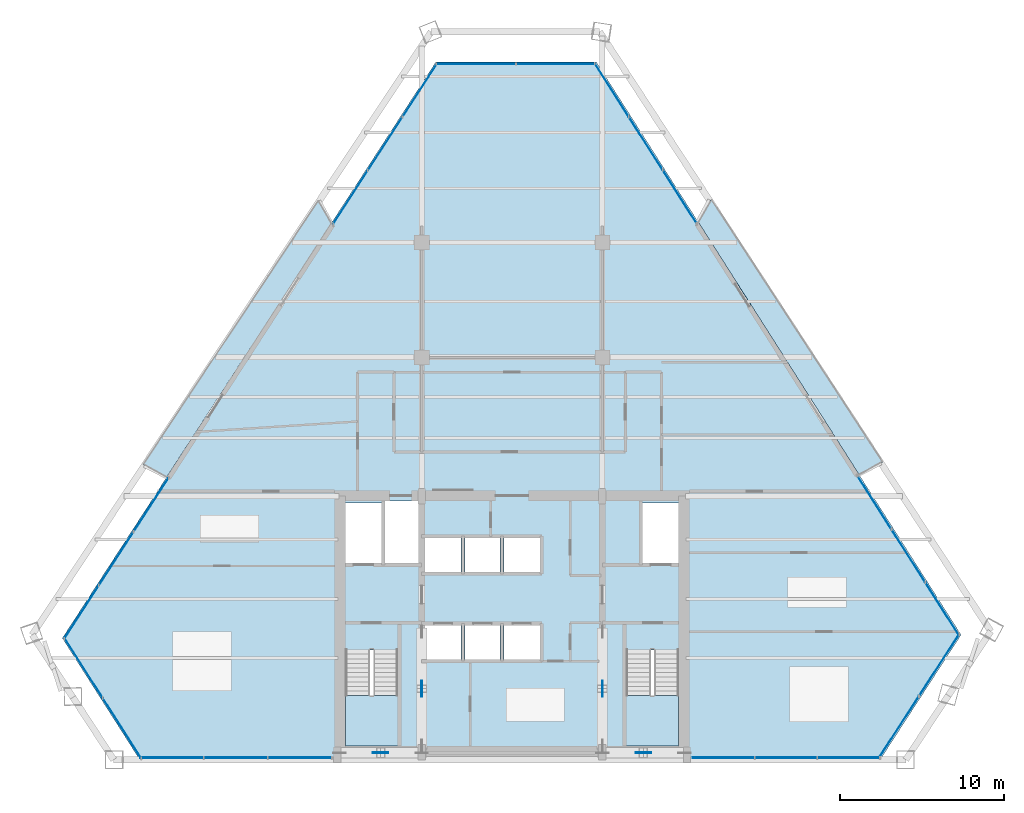
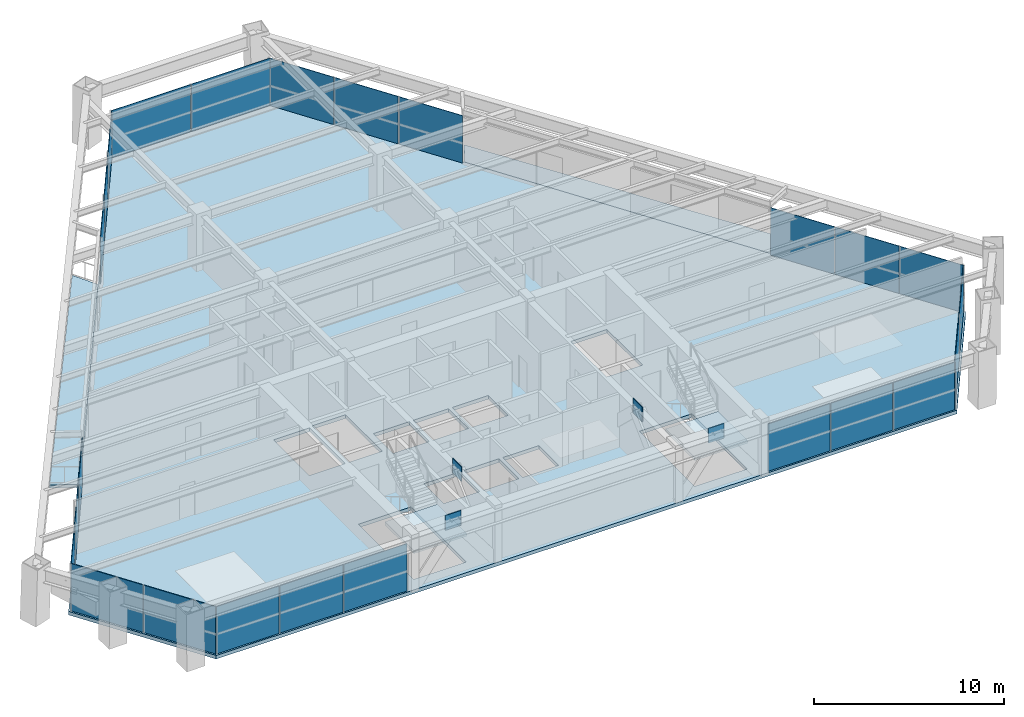
# One storey, part 10 of 15: 28 plates, 5 slabs, 11 elements without a shape of their own.
"""IFC4 building model written with IfcOpenShell, lengths in metres."""

from ifc_helpers import new_model, si_unit, direction, frame, origin, origin_2d, place, context, subcontext, project, spatial, polyline, rectangle, outline, extrude, source, transform, mapped, material, layer, layer_set, type_object, element, aggregate, save


model = new_model("IFC4")

# Units and contexts
model_context = context("Model", 3, precision=1e-05, world=origin(), true_north=direction((0.0, 1.0)))
body_context = subcontext(model_context, "Body", "Model", "MODEL_VIEW")
ifc_project = project(units=[si_unit("LENGTHUNIT", "METRE"), si_unit("AREAUNIT", "SQUARE_METRE"), si_unit("VOLUMEUNIT", "CUBIC_METRE"), si_unit("PLANEANGLEUNIT", "RADIAN"), si_unit("MASSUNIT", "GRAM", prefix="KILO")], contexts=[model_context])

# Site, building, storey
site_placement = place(None, origin())
site = spatial("IfcSite", under=ifc_project, at=site_placement, CompositionType="ELEMENT")
building_placement = place(site_placement, origin())
building = spatial("IfcBuilding", under=site, at=building_placement, Name="Varnakhor Terracotta Tower", CompositionType="ELEMENT")
storey_placement = place(building_placement, frame((0.0, 0.0, 144.10009765625)))
storey = spatial("IfcBuildingStorey", under=building, at=storey_placement, Name="L36", CompositionType="ELEMENT", Elevation=144.10009765625)

# Stair, slab
ifc_material_1 = material(Name="Concrete C40/50", Category="concrete")
stair_type = type_object("IfcStairType", Name="STR-CORE-OFFICE-1500", PredefinedType="HALF_TURN_STAIR", material=ifc_material_1)
stair_1_placement = place(storey_placement, origin())
stair_1 = element("IfcStair", 1, at=stair_1_placement, inside=storey, type_object=stair_type, Name="L36 Core Exit Stair ST-1", PredefinedType="HALF_TURN_STAIR")
ifc_layer_1 = layer(ifc_material_1, 0.179931640625, Name="Concrete C40/50")
ifc_layer_set_1 = layer_set([ifc_layer_1], Name="Concrete C40/50")
slab_type_1 = type_object("IfcSlabType", Name="SLB-LANDING-180", PredefinedType="LANDING", material=ifc_layer_set_1)
slab_1_placement = place(storey_placement, frame((0.0, 0.0, 1.64990234375)))
slab_1 = element("IfcSlab", 2, at=slab_1_placement, type_object=slab_type_1, Name="ST-1 landing 1", PredefinedType="LANDING", context=body_context, shape_type="SweptSolid", body=[
    extrude(outline(polyline([(-10.14990234375, 3.909912109375), (-10.14990234375, 0.85009765625), (-6.949951171875, 0.85009765625), (-6.949951171875, 3.909912109375), (-10.14990234375, 3.909912109375)])), origin(), (0.0, 0.0, 1.0), 0.199951171875),
])
aggregate(stair_1, [slab_1])

stair_2_placement = place(storey_placement, origin())
stair_2 = element("IfcStair", 3, at=stair_2_placement, inside=storey, type_object=stair_type, Name="L36 Core Exit Stair ST-2", PredefinedType="HALF_TURN_STAIR")
slab_2_placement = place(storey_placement, frame((0.0, 0.0, 1.64990234375)))
slab_2 = element("IfcSlab", 4, at=slab_2_placement, type_object=slab_type_1, Name="ST-2 landing 1", PredefinedType="LANDING", context=body_context, shape_type="SweptSolid", body=[
    extrude(outline(polyline([(6.949951171875, 3.909912109375), (6.949951171875, 0.85009765625), (10.14990234375, 0.85009765625), (10.14990234375, 3.909912109375), (6.949951171875, 3.909912109375)])), origin(), (0.0, 0.0, 1.0), 0.199951171875),
])
aggregate(stair_2, [slab_2])

# Slabs
ifc_layer_2 = layer(ifc_material_1, 0.195068359375, Name="Concrete C40/50")
ifc_layer_set_2 = layer_set([ifc_layer_2], Name="Concrete C40/50")
slab_type_2 = type_object("IfcSlabType", Name="SLB-LOGGIA-EXT-195", PredefinedType="FLOOR", material=ifc_layer_set_2)
slab_3_placement = place(storey_placement, frame((0.0, 0.0, -0.195068359375)))
element("IfcSlab", 5, at=slab_3_placement, inside=storey, type_object=slab_type_2, Name="L36 E Recessed Outdoor Loggia Slab", PredefinedType="FLOOR", context=body_context, shape_type="SweptSolid", body=[
    extrude(outline(polyline([(12.11376953125, 34.124267578125), (22.561767578125, 18.1181640625), (21.124755859375, 17.37255859375), (11.350830078125, 32.7197265625), (12.11376953125, 34.124267578125)])), origin(), (0.0, 0.0, 1.0), 0.195068359375),
])
slab_4_placement = place(storey_placement, frame((0.0, 0.0, -0.195068359375)))
element("IfcSlab", 6, at=slab_4_placement, inside=storey, type_object=slab_type_2, Name="L36 W Recessed Outdoor Loggia Slab", PredefinedType="FLOOR", context=body_context, shape_type="SweptSolid", body=[
    extrude(outline(polyline([(-22.462158203125, 17.96728515625), (-11.776611328125, 34.0654296875), (-11.010986328125, 32.66357421875), (-21.018798828125, 17.227783203125), (-22.462158203125, 17.96728515625)])), origin(), (0.0, 0.0, 1.0), 0.195068359375),
])
ifc_layer_3 = layer(ifc_material_1, 0.22998046875, Name="Concrete C40/50")
ifc_layer_set_3 = layer_set([ifc_layer_3], Name="Concrete C40/50")
slab_type_3 = type_object("IfcSlabType", Name="SLB-OFF-230", PredefinedType="FLOOR", material=ifc_layer_set_3)
slab_5_placement = place(storey_placement, frame((0.0, 0.0, -0.22998046875)))
element("IfcSlab", 7, at=slab_5_placement, inside=storey, type_object=slab_type_3, Name="L36 Structural Floor Slab", PredefinedType="FLOOR", context=body_context, shape_type="SweptSolid", body=[
    extrude(outline(polyline([(-27.38720703125, 7.405029296875), (-4.642578125, 42.486083984375), (5.131103515625, 42.486083984375), (27.344482421875, 7.60595703125), (22.4130859375, 0.0), (-22.67138671875, 0.0), (-27.38720703125, 7.405029296875)]), holes=[polyline([(-6.949951171875, 0.85009765625), (-6.949951171875, 6.695068359375), (-10.14990234375, 6.695068359375), (-10.14990234375, 0.85009765625), (-6.949951171875, 0.85009765625)]), polyline([(-3.10009765625, 6.10009765625), (-3.10009765625, 8.199951171875), (-5.300048828125, 8.199951171875), (-5.300048828125, 6.10009765625), (-3.10009765625, 6.10009765625)]), polyline([(-0.719970703125, 6.10009765625), (-0.719970703125, 8.199951171875), (-2.8798828125, 8.199951171875), (-2.8798828125, 6.10009765625), (-0.719970703125, 6.10009765625)]), polyline([(-5.300048828125, 11.419921875), (-3.10009765625, 11.419921875), (-3.10009765625, 13.52001953125), (-5.300048828125, 13.52001953125), (-5.300048828125, 11.419921875)]), polyline([(-10.14990234375, 11.8798828125), (-7.949951171875, 11.8798828125), (-7.949951171875, 15.64990234375), (-10.14990234375, 15.64990234375), (-10.14990234375, 11.8798828125)]), polyline([(-5.699951171875, 11.8798828125), (-5.699951171875, 15.75), (-7.72998046875, 15.75), (-7.72998046875, 11.8798828125), (-5.699951171875, 11.8798828125)]), polyline([(6.949951171875, 0.85009765625), (10.14990234375, 0.85009765625), (10.14990234375, 6.695068359375), (6.949951171875, 6.695068359375), (6.949951171875, 0.85009765625)]), polyline([(-0.5, 6.10009765625), (1.699951171875, 6.10009765625), (1.699951171875, 8.199951171875), (-0.5, 8.199951171875), (-0.5, 6.10009765625)]), polyline([(-0.719970703125, 11.419921875), (-0.719970703125, 13.52001953125), (-2.8798828125, 13.52001953125), (-2.8798828125, 11.419921875), (-0.719970703125, 11.419921875)]), polyline([(-0.5, 11.419921875), (1.699951171875, 11.419921875), (1.699951171875, 13.52001953125), (-0.5, 13.52001953125), (-0.5, 11.419921875)]), polyline([(7.949951171875, 11.8798828125), (10.14990234375, 11.8798828125), (10.14990234375, 15.64990234375), (7.949951171875, 15.64990234375), (7.949951171875, 11.8798828125)])]), origin(), (0.0, 0.0, 1.0), 0.22998046875),
])

# Plates
ifc_material_2 = material(Name="Steel S460", Category="steel")
ifc_layer_4 = layer(ifc_material_2, 0.050048828125, Name="Steel S460")
ifc_layer_set_4 = layer_set([ifc_layer_4], Name="Steel S460")
plate_type_1 = type_object("IfcPlateType", Name="PLT-GUSSET-50", PredefinedType="USERDEFINED", material=ifc_layer_set_4)
shared_shape_1 = source(origin(), body_context, "Body", "SweptSolid", [
    extrude(rectangle(XDim=0.949951171875, YDim=0.044921875, at=origin_2d()), origin(), (0.0, 0.0, 1.0), 0.949951171875),
])
for number, where, z_axis, x_axis, name in (
    (8, (-8.0, 0.419921875, 2.8447265625), (0.0, 0.0, 1.0), (1.0, 0.0, 0.0), "L36 Core Brace Apex Gusset CSW"),
    (9, (8.0, 0.419921875, 2.8447265625), (0.0, 0.0, 1.0), (1.0, 0.0, 0.0), "L36 Core Brace Apex Gusset CSE"),
    (10, (-5.5, 4.324951171875, 2.8447265625), (0.0, 0.0, 1.0), (0.0, 1.0, 0.0), "L36 Core Brace Apex Gusset CWW"),
    (11, (5.5, 4.324951171875, 2.8447265625), (0.0, 0.0, 1.0), (0.0, 1.0, 0.0), "L36 Core Brace Apex Gusset CWE"),
):
    element("IfcPlate", number, at=place(storey_placement, frame(where, z_axis=z_axis, x_axis=x_axis)), inside=storey, type_object=plate_type_1, Name=name, ObjectType="GUSSET PLATE", PredefinedType="USERDEFINED", context=body_context, shape_type="MappedRepresentation", body=[
        mapped(shared_shape_1, transform((0.0, 0.0, 0.0), scale=1.0)),
    ])

# Curtain wall, plates
ifc_material_3 = material(Name="Anodised Aluminium Curtain Wall System", Category="aluminium")
curtain_wall_type = type_object("IfcCurtainWallType", Name="CW-SYS-MID-OFFICE", PredefinedType="NOTDEFINED", material=ifc_material_3)
curtain_wall_1_placement = place(storey_placement, origin())
curtain_wall_1 = element("IfcCurtainWall", 12, at=curtain_wall_1_placement, inside=storey, type_object=curtain_wall_type, Name="L36 W Facet Curtain Wall 1", PredefinedType="NOTDEFINED")
ifc_material_4 = material(Name="Solar-Control Low-E Insulated Glass Panel", Category="glass")
ifc_layer_5 = layer(ifc_material_4, 0.035888671875, Name="Solar-Control Low-E Insulated Glass Panel")
ifc_layer_set_5 = layer_set([ifc_layer_5], Name="Solar-Control Low-E Insulated Glass Panel")
plate_type_2 = type_object("IfcPlateType", Name="CWP-03", PredefinedType="CURTAIN_PANEL", material=ifc_layer_set_5)
shared_shape_2 = source(origin(), body_context, "Body", "SweptSolid", [
    extrude(rectangle(XDim=3.84228515625, YDim=0.035888671875, at=origin_2d()), origin(), (0.0, 0.0, 1.0), 3.050048828125),
])
plate_1_placement = place(storey_placement, frame((-26.21435546875, 8.99365234375, 0.0), z_axis=(0.0, 0.0, 1.0), x_axis=(0.544009466495, 0.839079078731, 0.0)))
plate_1 = element("IfcPlate", 13, at=plate_1_placement, type_object=plate_type_2, Name="L36 W Facet Curtain Wall 1 Glazed Panel 1", PredefinedType="CURTAIN_PANEL", context=body_context, shape_type="MappedRepresentation", body=[
    mapped(shared_shape_2, transform((0.0, 0.0, 0.0), scale=1.0)),
])
plate_2_placement = place(storey_placement, frame((-24.102294921875, 12.251220703125, 0.0), z_axis=(0.0, 0.0, 1.0), x_axis=(0.544009466495, 0.839079078731, 0.0)))
plate_2 = element("IfcPlate", 14, at=plate_2_placement, type_object=plate_type_2, Name="L36 W Facet Curtain Wall 1 Glazed Panel 2", PredefinedType="CURTAIN_PANEL", context=body_context, shape_type="MappedRepresentation", body=[
    mapped(shared_shape_2, transform((0.0, 0.0, 0.0), scale=1.0)),
])
plate_3_placement = place(storey_placement, frame((-21.990478515625, 15.508544921875, 0.0), z_axis=(0.0, 0.0, 1.0), x_axis=(0.544009466495, 0.839079078731, 0.0)))
plate_3 = element("IfcPlate", 15, at=plate_3_placement, type_object=plate_type_2, Name="L36 W Facet Curtain Wall 1 Glazed Panel 3", PredefinedType="CURTAIN_PANEL", context=body_context, shape_type="MappedRepresentation", body=[
    mapped(shared_shape_2, transform((0.0, 0.0, 0.0), scale=1.0)),
])
aggregate(curtain_wall_1, [plate_1, plate_2, plate_3])

curtain_wall_2_placement = place(storey_placement, origin())
curtain_wall_2 = element("IfcCurtainWall", 16, at=curtain_wall_2_placement, inside=storey, type_object=curtain_wall_type, Name="L36 W Facet Curtain Wall 2", PredefinedType="NOTDEFINED")
plate_4_placement = place(storey_placement, frame((-7.72607421875, 37.509521484375, 0.0), z_axis=(0.0, 0.0, 1.0), x_axis=(0.544009466495, 0.839079078731, 0.0)))
plate_4 = element("IfcPlate", 17, at=plate_4_placement, type_object=plate_type_2, Name="L36 W Facet Curtain Wall 2 Glazed Panel 2", PredefinedType="CURTAIN_PANEL", context=body_context, shape_type="MappedRepresentation", body=[
    mapped(shared_shape_2, transform((0.0, 0.0, 0.0), scale=1.0)),
])
plate_5_placement = place(storey_placement, frame((-5.614013671875, 40.76708984375, 0.0), z_axis=(0.0, 0.0, 1.0), x_axis=(0.544009466495, 0.839079078731, 0.0)))
plate_5 = element("IfcPlate", 18, at=plate_5_placement, type_object=plate_type_2, Name="L36 W Facet Curtain Wall 2 Glazed Panel 3", PredefinedType="CURTAIN_PANEL", context=body_context, shape_type="MappedRepresentation", body=[
    mapped(shared_shape_2, transform((0.0, 0.0, 0.0), scale=1.0)),
])
shared_shape_3 = source(origin(), body_context, "Body", "SweptSolid", [
    extrude(rectangle(XDim=3.842041015625, YDim=0.035888671875, at=origin_2d()), origin(), (0.0, 0.0, 1.0), 3.050048828125),
])
plate_6_placement = place(storey_placement, frame((-9.837890625, 34.252197265625, 0.0), z_axis=(0.0, 0.0, 1.0), x_axis=(0.544009466495, 0.839079078731, 0.0)))
plate_6 = element("IfcPlate", 19, at=plate_6_placement, type_object=plate_type_2, Name="L36 W Facet Curtain Wall 2 Glazed Panel 1", PredefinedType="CURTAIN_PANEL", context=body_context, shape_type="MappedRepresentation", body=[
    mapped(shared_shape_3, transform((0.0, 0.0, 0.0), scale=1.0)),
])
aggregate(curtain_wall_2, [plate_6, plate_4, plate_5])

curtain_wall_3_placement = place(storey_placement, origin())
curtain_wall_3 = element("IfcCurtainWall", 20, at=curtain_wall_3_placement, inside=storey, type_object=curtain_wall_type, Name="L36 Facet Curtain Wall 2", PredefinedType="NOTDEFINED")
shared_shape_4 = source(origin(), body_context, "Body", "SweptSolid", [
    extrude(rectangle(XDim=4.81689453125, YDim=0.035888671875, at=origin_2d()), origin(), (0.0, 0.0, 1.0), 3.050048828125),
])
plate_7_placement = place(storey_placement, frame((-2.18408203125, 42.3662109375, 0.0), z_axis=(0.0, 0.0, 1.0), x_axis=(1.0, 0.0, 0.0)))
plate_7 = element("IfcPlate", 21, at=plate_7_placement, type_object=plate_type_2, Name="L36 Facet Curtain Wall 2 Glazed Panel 1", PredefinedType="CURTAIN_PANEL", context=body_context, shape_type="MappedRepresentation", body=[
    mapped(shared_shape_4, transform((0.0, 0.0, 0.0), scale=1.0)),
])
shared_shape_5 = source(origin(), body_context, "Body", "SweptSolid", [
    extrude(rectangle(XDim=4.816650390625, YDim=0.035888671875, at=origin_2d()), origin(), (0.0, 0.0, 1.0), 3.050048828125),
])
plate_8_placement = place(storey_placement, frame((2.672607421875, 42.3662109375, 0.0), z_axis=(0.0, 0.0, 1.0), x_axis=(1.0, 0.0, 0.0)))
plate_8 = element("IfcPlate", 22, at=plate_8_placement, type_object=plate_type_2, Name="L36 Facet Curtain Wall 2 Glazed Panel 2", PredefinedType="CURTAIN_PANEL", context=body_context, shape_type="MappedRepresentation", body=[
    mapped(shared_shape_5, transform((0.0, 0.0, 0.0), scale=1.0)),
])
aggregate(curtain_wall_3, [plate_7, plate_8])

curtain_wall_4_placement = place(storey_placement, origin())
curtain_wall_4 = element("IfcCurtainWall", 23, at=curtain_wall_4_placement, inside=storey, type_object=curtain_wall_type, Name="L36 E Facet Curtain Wall 1", PredefinedType="NOTDEFINED")
shared_shape_6 = source(origin(), body_context, "Body", "SweptSolid", [
    extrude(rectangle(XDim=3.799560546875, YDim=0.035888671875, at=origin_2d()), origin(), (0.0, 0.0, 1.0), 3.050048828125),
])
plate_9_placement = place(storey_placement, frame((6.0771484375, 40.777099609375, 0.0), z_axis=(0.0, 0.0, 1.0), x_axis=(0.5371671221, -0.843475834233, 0.0)))
plate_9 = element("IfcPlate", 24, at=plate_9_placement, type_object=plate_type_2, Name="L36 E Facet Curtain Wall 1 Glazed Panel 1", PredefinedType="CURTAIN_PANEL", context=body_context, shape_type="MappedRepresentation", body=[
    mapped(shared_shape_6, transform((0.0, 0.0, 0.0), scale=1.0)),
])
plate_10_placement = place(storey_placement, frame((8.1396484375, 37.53857421875, 0.0), z_axis=(0.0, 0.0, 1.0), x_axis=(0.5371671221, -0.843475834233, 0.0)))
plate_10 = element("IfcPlate", 25, at=plate_10_placement, type_object=plate_type_2, Name="L36 E Facet Curtain Wall 1 Glazed Panel 2", PredefinedType="CURTAIN_PANEL", context=body_context, shape_type="MappedRepresentation", body=[
    mapped(shared_shape_6, transform((0.0, 0.0, 0.0), scale=1.0)),
])
plate_11_placement = place(storey_placement, frame((10.2021484375, 34.2998046875, 0.0), z_axis=(0.0, 0.0, 1.0), x_axis=(0.5371671221, -0.843475834233, 0.0)))
plate_11 = element("IfcPlate", 26, at=plate_11_placement, type_object=plate_type_2, Name="L36 E Facet Curtain Wall 1 Glazed Panel 3", PredefinedType="CURTAIN_PANEL", context=body_context, shape_type="MappedRepresentation", body=[
    mapped(shared_shape_6, transform((0.0, 0.0, 0.0), scale=1.0)),
])
aggregate(curtain_wall_4, [plate_9, plate_10, plate_11])

curtain_wall_5_placement = place(storey_placement, origin())
curtain_wall_5 = element("IfcCurtainWall", 27, at=curtain_wall_5_placement, inside=storey, type_object=curtain_wall_type, Name="L36 E Facet Curtain Wall 2", PredefinedType="NOTDEFINED")
plate_12_placement = place(storey_placement, frame((22.07080078125, 15.663330078125, 0.0), z_axis=(0.0, 0.0, 1.0), x_axis=(0.5371671221, -0.843475834233, 0.0)))
plate_12 = element("IfcPlate", 28, at=plate_12_placement, type_object=plate_type_2, Name="L36 E Facet Curtain Wall 2 Glazed Panel 1", PredefinedType="CURTAIN_PANEL", context=body_context, shape_type="MappedRepresentation", body=[
    mapped(shared_shape_6, transform((0.0, 0.0, 0.0), scale=1.0)),
])
plate_13_placement = place(storey_placement, frame((24.13330078125, 12.4248046875, 0.0), z_axis=(0.0, 0.0, 1.0), x_axis=(0.5371671221, -0.843475834233, 0.0)))
plate_13 = element("IfcPlate", 29, at=plate_13_placement, type_object=plate_type_2, Name="L36 E Facet Curtain Wall 2 Glazed Panel 2", PredefinedType="CURTAIN_PANEL", context=body_context, shape_type="MappedRepresentation", body=[
    mapped(shared_shape_6, transform((0.0, 0.0, 0.0), scale=1.0)),
])
shared_shape_7 = source(origin(), body_context, "Body", "SweptSolid", [
    extrude(rectangle(XDim=3.7998046875, YDim=0.035888671875, at=origin_2d()), origin(), (0.0, 0.0, 1.0), 3.050048828125),
])
plate_14_placement = place(storey_placement, frame((26.19580078125, 9.18603515625, 0.0), z_axis=(0.0, 0.0, 1.0), x_axis=(0.5371671221, -0.843475834233, 0.0)))
plate_14 = element("IfcPlate", 30, at=plate_14_placement, type_object=plate_type_2, Name="L36 E Facet Curtain Wall 2 Glazed Panel 3", PredefinedType="CURTAIN_PANEL", context=body_context, shape_type="MappedRepresentation", body=[
    mapped(shared_shape_7, transform((0.0, 0.0, 0.0), scale=1.0)),
])
aggregate(curtain_wall_5, [plate_12, plate_13, plate_14])

curtain_wall_6_placement = place(storey_placement, origin())
curtain_wall_6 = element("IfcCurtainWall", 31, at=curtain_wall_6_placement, inside=storey, type_object=curtain_wall_type, Name="L36 Facet Curtain Wall 4", PredefinedType="NOTDEFINED")
shared_shape_8 = source(origin(), body_context, "Body", "SweptSolid", [
    extrude(rectangle(XDim=4.46240234375, YDim=0.035888671875, at=origin_2d()), origin(), (0.0, 0.0, 1.0), 3.050048828125),
])
plate_15_placement = place(storey_placement, frame((26.002685546875, 5.757080078125, 0.0), z_axis=(0.0, 0.0, 1.0), x_axis=(-0.544009466495, -0.839079078731, 0.0)))
plate_15 = element("IfcPlate", 32, at=plate_15_placement, type_object=plate_type_2, Name="L36 Facet Curtain Wall 4 Glazed Panel 1", PredefinedType="CURTAIN_PANEL", context=body_context, shape_type="MappedRepresentation", body=[
    mapped(shared_shape_8, transform((0.0, 0.0, 0.0), scale=1.0)),
])
plate_16_placement = place(storey_placement, frame((23.553466796875, 1.9794921875, 0.0), z_axis=(0.0, 0.0, 1.0), x_axis=(-0.544009466495, -0.839079078731, 0.0)))
plate_16 = element("IfcPlate", 33, at=plate_16_placement, type_object=plate_type_2, Name="L36 Facet Curtain Wall 4 Glazed Panel 2", PredefinedType="CURTAIN_PANEL", context=body_context, shape_type="MappedRepresentation", body=[
    mapped(shared_shape_8, transform((0.0, 0.0, 0.0), scale=1.0)),
])
aggregate(curtain_wall_6, [plate_15, plate_16])

curtain_wall_7_placement = place(storey_placement, origin())
curtain_wall_7 = element("IfcCurtainWall", 34, at=curtain_wall_7_placement, inside=storey, type_object=curtain_wall_type, Name="L36 South Wing Curtain Wall SSE", PredefinedType="NOTDEFINED")
shared_shape_9 = source(origin(), body_context, "Body", "SweptSolid", [
    extrude(rectangle(XDim=3.77099609375, YDim=0.035888671875, at=origin_2d()), origin(), (0.0, 0.0, 1.0), 3.050048828125),
])
plate_17_placement = place(storey_placement, frame((20.497802734375, 0.1201171875, 0.0), z_axis=(0.0, 0.0, 1.0), x_axis=(-1.0, 0.0, 0.0)))
plate_17 = element("IfcPlate", 35, at=plate_17_placement, type_object=plate_type_2, Name="L36 South Wing Curtain Wall SSE Glazed Panel 1", PredefinedType="CURTAIN_PANEL", context=body_context, shape_type="MappedRepresentation", body=[
    mapped(shared_shape_9, transform((0.0, 0.0, 0.0), scale=1.0)),
])
plate_18_placement = place(storey_placement, frame((16.6865234375, 0.1201171875, 0.0), z_axis=(0.0, 0.0, 1.0), x_axis=(-1.0, 0.0, 0.0)))
plate_18 = element("IfcPlate", 36, at=plate_18_placement, type_object=plate_type_2, Name="L36 South Wing Curtain Wall SSE Glazed Panel 2", PredefinedType="CURTAIN_PANEL", context=body_context, shape_type="MappedRepresentation", body=[
    mapped(shared_shape_9, transform((0.0, 0.0, 0.0), scale=1.0)),
])
plate_19_placement = place(storey_placement, frame((12.87548828125, 0.1201171875, 0.0), z_axis=(0.0, 0.0, 1.0), x_axis=(-1.0, 0.0, 0.0)))
plate_19 = element("IfcPlate", 37, at=plate_19_placement, type_object=plate_type_2, Name="L36 South Wing Curtain Wall SSE Glazed Panel 3", PredefinedType="CURTAIN_PANEL", context=body_context, shape_type="MappedRepresentation", body=[
    mapped(shared_shape_9, transform((0.0, 0.0, 0.0), scale=1.0)),
])
aggregate(curtain_wall_7, [plate_17, plate_18, plate_19])

curtain_wall_8_placement = place(storey_placement, origin())
curtain_wall_8 = element("IfcCurtainWall", 38, at=curtain_wall_8_placement, inside=storey, type_object=curtain_wall_type, Name="L36 South Wing Curtain Wall SSW", PredefinedType="NOTDEFINED")
shared_shape_10 = source(origin(), body_context, "Body", "SweptSolid", [
    extrude(rectangle(XDim=3.857177734375, YDim=0.035888671875, at=origin_2d()), origin(), (0.0, 0.0, 1.0), 3.050048828125),
])
plate_20_placement = place(storey_placement, frame((-12.91845703125, 0.1201171875, 0.0), z_axis=(0.0, 0.0, 1.0), x_axis=(-1.0, 0.0, 0.0)))
plate_20 = element("IfcPlate", 39, at=plate_20_placement, type_object=plate_type_2, Name="L36 South Wing Curtain Wall SSW Glazed Panel 1", PredefinedType="CURTAIN_PANEL", context=body_context, shape_type="MappedRepresentation", body=[
    mapped(shared_shape_10, transform((0.0, 0.0, 0.0), scale=1.0)),
])
plate_21_placement = place(storey_placement, frame((-16.815673828125, 0.1201171875, 0.0), z_axis=(0.0, 0.0, 1.0), x_axis=(-1.0, 0.0, 0.0)))
plate_21 = element("IfcPlate", 40, at=plate_21_placement, type_object=plate_type_2, Name="L36 South Wing Curtain Wall SSW Glazed Panel 2", PredefinedType="CURTAIN_PANEL", context=body_context, shape_type="MappedRepresentation", body=[
    mapped(shared_shape_10, transform((0.0, 0.0, 0.0), scale=1.0)),
])
plate_22_placement = place(storey_placement, frame((-20.712890625, 0.1201171875, 0.0), z_axis=(0.0, 0.0, 1.0), x_axis=(-1.0, 0.0, 0.0)))
plate_22 = element("IfcPlate", 41, at=plate_22_placement, type_object=plate_type_2, Name="L36 South Wing Curtain Wall SSW Glazed Panel 3", PredefinedType="CURTAIN_PANEL", context=body_context, shape_type="MappedRepresentation", body=[
    mapped(shared_shape_10, transform((0.0, 0.0, 0.0), scale=1.0)),
])
aggregate(curtain_wall_8, [plate_20, plate_21, plate_22])

curtain_wall_9_placement = place(storey_placement, origin())
curtain_wall_9 = element("IfcCurtainWall", 42, at=curtain_wall_9_placement, inside=storey, type_object=curtain_wall_type, Name="L36 Facet Curtain Wall 6", PredefinedType="NOTDEFINED")
shared_shape_11 = source(origin(), body_context, "Body", "SweptSolid", [
    extrude(rectangle(XDim=4.319580078125, YDim=0.035888671875, at=origin_2d()), origin(), (0.0, 0.0, 1.0), 3.050048828125),
])
plate_23_placement = place(storey_placement, frame((-23.757080078125, 1.928466796875, 0.0), z_axis=(0.0, 0.0, 1.0), x_axis=(-0.5371671221, 0.843475834233, 0.0)))
plate_23 = element("IfcPlate", 43, at=plate_23_placement, type_object=plate_type_2, Name="L36 Facet Curtain Wall 6 Glazed Panel 1", PredefinedType="CURTAIN_PANEL", context=body_context, shape_type="MappedRepresentation", body=[
    mapped(shared_shape_11, transform((0.0, 0.0, 0.0), scale=1.0)),
])
plate_24_placement = place(storey_placement, frame((-26.09912109375, 5.605712890625, 0.0), z_axis=(0.0, 0.0, 1.0), x_axis=(-0.5371671221, 0.843475834233, 0.0)))
plate_24 = element("IfcPlate", 44, at=plate_24_placement, type_object=plate_type_2, Name="L36 Facet Curtain Wall 6 Glazed Panel 2", PredefinedType="CURTAIN_PANEL", context=body_context, shape_type="MappedRepresentation", body=[
    mapped(shared_shape_11, transform((0.0, 0.0, 0.0), scale=1.0)),
])
aggregate(curtain_wall_9, [plate_23, plate_24])

save(model, "model.ifc")
